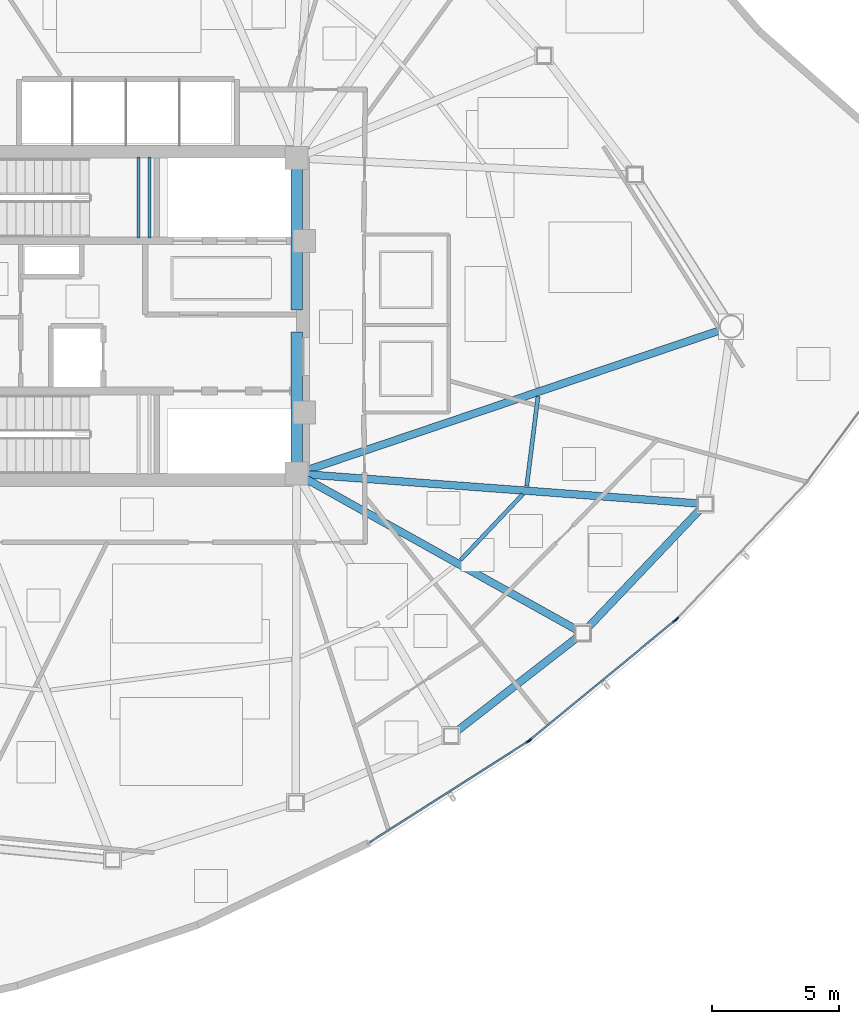
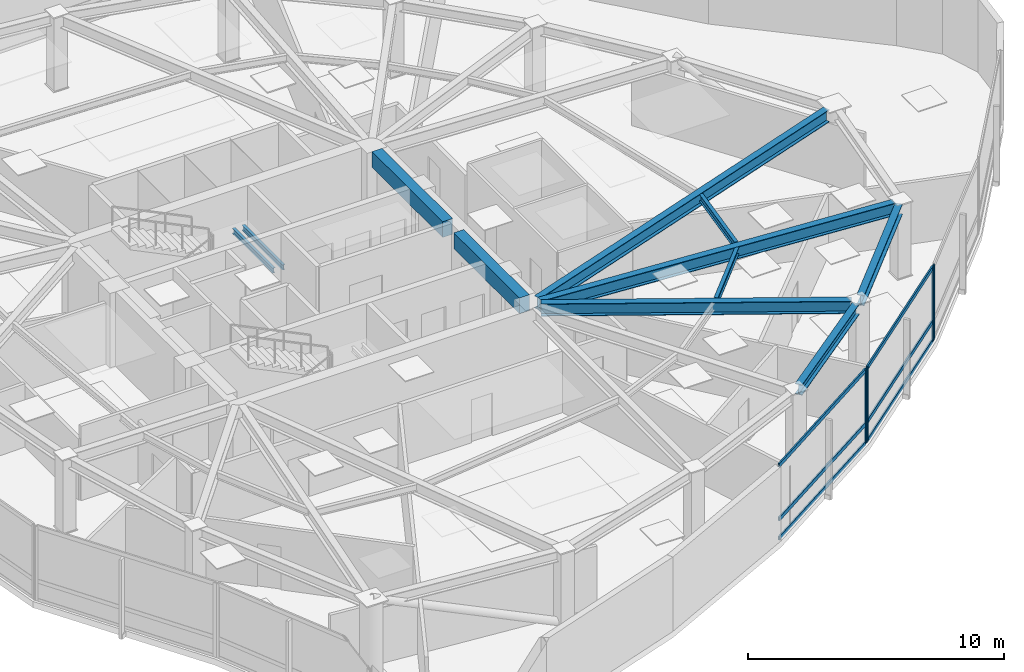
# One storey, part 5 of 17: 11 beams, 10 members, 3 elements without a shape of their own.
"""IFC4 building model written with IfcOpenShell, lengths in metres."""

from ifc_helpers import new_model, si_unit, direction, frame, origin, origin_2d, place, context, subcontext, project, spatial, rectangle, hollow_rectangle, i_section, extrude, source, transform, mapped, material, layer, layer_set, material_profile, profile_set, type_object, type_shapes, element, aggregate, save


model = new_model("IFC4")

# Units and contexts
model_context = context("Model", 3, precision=1e-05, world=origin(), true_north=direction((0.0, 1.0)))
body_context = subcontext(model_context, "Body", "Model", "MODEL_VIEW")
ifc_project = project(units=[si_unit("LENGTHUNIT", "METRE"), si_unit("AREAUNIT", "SQUARE_METRE"), si_unit("VOLUMEUNIT", "CUBIC_METRE"), si_unit("PLANEANGLEUNIT", "RADIAN"), si_unit("MASSUNIT", "GRAM", prefix="KILO")], contexts=[model_context])

# Site, building, storey
site_placement = place(None, origin())
site = spatial("IfcSite", under=ifc_project, at=site_placement, CompositionType="ELEMENT")
building_placement = place(site_placement, origin())
building = spatial("IfcBuilding", under=site, at=building_placement, Name="Tavelor Broadcast Tower", CompositionType="ELEMENT")
storey_placement = place(building_placement, frame((0.0, 0.0, 184.89990234375)))
storey = spatial("IfcBuildingStorey", under=building, at=storey_placement, Name="L44", CompositionType="ELEMENT", Elevation=184.89990234375)

# Beams
ifc_material_1 = material(Name="Concrete C40/50", Category="concrete")
ifc_material_profile_1 = material_profile(ifc_material_1, rectangle(XDim=0.449951171875, YDim=0.75, at=origin_2d()), Name="RC 450x750")
ifc_profile_set_1 = profile_set([ifc_material_profile_1], Name="Concrete C40/50")
beam_type_1 = type_object("IfcBeamType", Name="Basement Core Trim Beam 450x750", PredefinedType="BEAM", material=ifc_profile_set_1)
beam_1_placement = place(storey_placement, frame((56.60009765625, 45.23193359375, 3.175048828125), z_axis=(0.0, 1.0, 0.0), x_axis=(-1.0, 0.0, 0.0)))
element("IfcBeam", 1, at=beam_1_placement, inside=storey, type_object=beam_type_1, Name="L44 Core East-N Tie Girder", PredefinedType="BEAM", context=body_context, shape_type="SweptSolid", body=[
    extrude(rectangle(XDim=0.449951171875, YDim=0.75, at=origin_2d()), origin(), (0.0, 0.0, 1.0), 5.5361328125),
])
beam_2_placement = place(storey_placement, frame((56.60009765625, 39.23193359375, 3.175048828125), z_axis=(0.0, 1.0, 0.0), x_axis=(-1.0, 0.0, 0.0)))
element("IfcBeam", 2, at=beam_2_placement, inside=storey, type_object=beam_type_1, Name="L44 Core East-S Tie Girder", PredefinedType="BEAM", context=body_context, shape_type="SweptSolid", body=[
    extrude(rectangle(XDim=0.449951171875, YDim=0.75, at=origin_2d()), origin(), (0.0, 0.0, 1.0), 5.135986328125),
])
ifc_material_2 = material(Name="Steel S355", Category="steel")
ifc_material_profile_2 = material_profile(ifc_material_2, i_section(OverallWidth=0.159912109375, OverallDepth=0.330078125, WebThickness=0.007568359375, FlangeThickness=0.011474609375, at=origin_2d()), Name="IPE 330")
ifc_profile_set_2 = profile_set([ifc_material_profile_2], Name="Steel S355")
beam_type_2 = type_object("IfcBeamType", Name="Composite Floor Joist T4 IPE 330", PredefinedType="JOIST", material=ifc_profile_set_2)
beam_3_placement = place(storey_placement, frame((63.04541015625, 35.4072265625, 3.385009765625), z_axis=(0.687334543524, 0.726340984166, 0.0), x_axis=(-0.726340984166, 0.687334543524, 0.0)))
element("IfcBeam", 3, at=beam_3_placement, inside=storey, type_object=beam_type_2, Name="L44 Secondary Composite Floor Joist 11", PredefinedType="JOIST", context=body_context, shape_type="SweptSolid", body=[
    extrude(i_section(OverallWidth=0.159912109375, OverallDepth=0.330078125, WebThickness=0.007568359375, FlangeThickness=0.011474609375, at=origin_2d()), origin(), (0.0, 0.0, 1.0), 3.567626953125),
])
beam_4_placement = place(storey_placement, frame((65.64453125, 38.3095703125, 3.385009765625), z_axis=(0.124499310057, 0.992219694319, 0.0), x_axis=(-0.992219694319, 0.124499310057, 0.0)))
element("IfcBeam", 4, at=beam_4_placement, inside=storey, type_object=beam_type_2, Name="L44 Secondary Composite Floor Joist 12", PredefinedType="JOIST", context=body_context, shape_type="SweptSolid", body=[
    extrude(i_section(OverallWidth=0.159912109375, OverallDepth=0.330078125, WebThickness=0.007568359375, FlangeThickness=0.011474609375, at=origin_2d()), origin(), (0.0, 0.0, 1.0), 3.55712890625),
])
ifc_material_profile_3 = material_profile(ifc_material_2, i_section(OverallWidth=0.300048828125, OverallDepth=0.5, WebThickness=0.014404296875, FlangeThickness=0.028076171875, at=origin_2d()), Name="HEB 500")
ifc_profile_set_3 = profile_set([ifc_material_profile_3], Name="Steel S355")
beam_type_3 = type_object("IfcBeamType", Name="Perimeter Spandrel Beam T4 HEB 500", PredefinedType="SPANDREL", material=ifc_profile_set_3)
beam_5_placement = place(storey_placement, frame((62.896484375, 28.68017578125, 3.300048828125), z_axis=(0.788978387361, 0.614420950389, 0.0), x_axis=(-0.614420950389, 0.788978387361, 0.0)))
element("IfcBeam", 5, at=beam_5_placement, inside=storey, type_object=beam_type_3, Name="L44 Framed-Tube Ring Spandrel 10", PredefinedType="SPANDREL", context=body_context, shape_type="SweptSolid", body=[
    extrude(i_section(OverallWidth=0.300048828125, OverallDepth=0.5, WebThickness=0.014404296875, FlangeThickness=0.028076171875, at=origin_2d()), origin(), (0.0, 0.0, 1.0), 5.98046875),
])
beam_6_placement = place(storey_placement, frame((68.04052734375, 32.74072265625, 3.300048828125), z_axis=(0.688387662899, 0.725342970993, 0.0), x_axis=(-0.725342970993, 0.688387662899, 0.0)))
element("IfcBeam", 6, at=beam_6_placement, inside=storey, type_object=beam_type_3, Name="L44 Framed-Tube Ring Spandrel 11", PredefinedType="SPANDREL", context=body_context, shape_type="SweptSolid", body=[
    extrude(i_section(OverallWidth=0.300048828125, OverallDepth=0.5, WebThickness=0.014404296875, FlangeThickness=0.028076171875, at=origin_2d()), origin(), (0.0, 0.0, 1.0), 6.42138671875),
])
ifc_material_profile_4 = material_profile(ifc_material_2, i_section(OverallWidth=0.300048828125, OverallDepth=0.590087890625, WebThickness=0.012939453125, FlangeThickness=0.02490234375, at=origin_2d()), Name="HEA 600")
ifc_profile_set_4 = profile_set([ifc_material_profile_4], Name="Steel S355")
beam_type_4 = type_object("IfcBeamType", Name="Radial Floor Girder T4 HEA 600", PredefinedType="BEAM", material=ifc_profile_set_4)
beam_7_placement = place(storey_placement, frame((56.977294921875, 38.589599609375, 3.255126953125), z_axis=(0.8734199139, -0.486967816187, 0.0), x_axis=(0.486967816187, 0.8734199139, 0.0)))
element("IfcBeam", 7, at=beam_7_placement, inside=storey, type_object=beam_type_4, Name="L44 Radial Primary Floor Girder 11", PredefinedType="BEAM", context=body_context, shape_type="SweptSolid", body=[
    extrude(i_section(OverallWidth=0.300048828125, OverallDepth=0.590087890625, WebThickness=0.012939453125, FlangeThickness=0.02490234375, at=origin_2d()), origin(), (0.0, 0.0, 1.0), 12.151611328125),
])
beam_8_placement = place(storey_placement, frame((57.03076171875, 38.76806640625, 3.255126953125), z_axis=(0.997253315852, -0.074066348787, 0.0), x_axis=(0.074066348787, 0.997253315852, 0.0)))
element("IfcBeam", 8, at=beam_8_placement, inside=storey, type_object=beam_type_4, Name="L44 Radial Primary Floor Girder 12", PredefinedType="BEAM", context=body_context, shape_type="SweptSolid", body=[
    extrude(i_section(OverallWidth=0.300048828125, OverallDepth=0.590087890625, WebThickness=0.012939453125, FlangeThickness=0.02490234375, at=origin_2d()), origin(), (0.0, 0.0, 1.0), 15.383544921875),
])
beam_9_placement = place(storey_placement, frame((57.00927734375, 38.9384765625, 3.255126953125), z_axis=(0.947214639948, 0.320600102727, 0.0), x_axis=(-0.320600102727, 0.947214639948, 0.0)))
element("IfcBeam", 9, at=beam_9_placement, inside=storey, type_object=beam_type_4, Name="L44 Radial Primary Floor Girder 13", PredefinedType="BEAM", context=body_context, shape_type="SweptSolid", body=[
    extrude(i_section(OverallWidth=0.300048828125, OverallDepth=0.590087890625, WebThickness=0.012939453125, FlangeThickness=0.02490234375, at=origin_2d()), origin(), (0.0, 0.0, 1.0), 17.15673828125),
])
ifc_material_profile_5 = material_profile(ifc_material_2, i_section(OverallWidth=0.1201171875, OverallDepth=0.239990234375, WebThickness=0.006103515625, FlangeThickness=0.009765625, at=origin_2d()), Name="IPE 240")
ifc_profile_set_5 = profile_set([ifc_material_profile_5], Name="Steel S355")
beam_type_5 = type_object("IfcBeamType", Name="Stairwell Landing Support Trimmer Beam IPE240", PredefinedType="BEAM", material=ifc_profile_set_5)
for number, where, z_axis, x_axis, name in (
    (10, (50.385009765625, 48.06005859375, 1.610107421875), (0.0, 1.0, 0.0), (-1.0, 0.0, 0.0), "L44 Stair Landing Support Beam 121"),
    (11, (50.824951171875, 48.06005859375, 1.610107421875), (0.0, 1.0, 0.0), (-1.0, 0.0, 0.0), "L44 Stair Landing Support Beam 122"),
):
    element("IfcBeam", number, at=place(storey_placement, frame(where, z_axis=z_axis, x_axis=x_axis)), inside=storey, type_object=beam_type_5, Name=name, PredefinedType="BEAM", context=body_context, shape_type="SweptSolid", body=[
        extrude(i_section(OverallWidth=0.1201171875, OverallDepth=0.239990234375, WebThickness=0.006103515625, FlangeThickness=0.009765625, at=origin_2d()), origin(), (0.0, 0.0, 1.0), 3.179931640625),
    ])

# Curtain wall, member
ifc_material_3 = material(Name="Architectural Anodized Aluminium", Category="aluminium")
ifc_layer = layer(ifc_material_3, 0.18994140625)
ifc_layer_set = layer_set([ifc_layer], Name="Architectural Anodized Aluminium")
curtain_wall_type = type_object("IfcCurtainWallType", Name="Tower Mid-Zone Acoustic Curtain Wall CW03", PredefinedType="NOTDEFINED", material=ifc_layer_set)
curtain_wall_1_placement = place(storey_placement, origin())
curtain_wall_1 = element("IfcCurtainWall", 12, at=curtain_wall_1_placement, inside=storey, type_object=curtain_wall_type, Name="L44 Curtain Wall CW03 Run 473", PredefinedType="NOTDEFINED")
ifc_material_profile_6 = material_profile(ifc_material_3, hollow_rectangle(XDim=0.068115234375, YDim=0.18994140625, WallThickness=0.02197265625, at=origin_2d()), Name="RHS 68x190x22")
ifc_profile_set_6 = profile_set([ifc_material_profile_6], Name="Architectural Anodized Aluminium")
member_type_1 = type_object("IfcMemberType", Name="CW03 Extruded Aluminium Mullion 68x190", PredefinedType="MULLION", material=ifc_profile_set_6)
shared_shape_1 = source(origin(), body_context, "Body", "SweptSolid", [
    extrude(hollow_rectangle(XDim=0.068115234375, YDim=0.18994140625, WallThickness=0.02197265625, at=origin_2d()), origin(), (0.0, 0.0, 1.0), 3.550048828125),
])
type_shapes(member_type_1, [shared_shape_1])
member_1_placement = place(storey_placement, frame((65.693115234375, 28.271728515625, 0.0), z_axis=(0.0, 0.0, 1.0), x_axis=(-0.537657235308, 0.843163505686, 0.0)))
member_1 = element("IfcMember", 13, at=member_1_placement, type_object=member_type_1, Name="CW03 mullion 2", PredefinedType="MULLION", context=body_context, shape_type="MappedRepresentation", body=[
    mapped(shared_shape_1, transform((0.0, 0.0, 0.0), scale=1.0)),
])

# Curtain wall, members
curtain_wall_2_placement = place(storey_placement, origin())
curtain_wall_2 = element("IfcCurtainWall", 14, at=curtain_wall_2_placement, inside=storey, type_object=curtain_wall_type, Name="L44 Curtain Wall CW03 Run 474", PredefinedType="NOTDEFINED")
member_2_placement = place(storey_placement, frame((65.7724609375, 28.329345703125, 0.0), z_axis=(0.0, 0.0, 1.0), x_axis=(-0.635742583615, 0.771901138345, 0.0)))
member_2 = element("IfcMember", 15, at=member_2_placement, type_object=member_type_1, Name="CW03 mullion 1", PredefinedType="MULLION", context=body_context, shape_type="MappedRepresentation", body=[
    mapped(shared_shape_1, transform((0.0, 0.0, 0.0), scale=1.0)),
])
member_3_placement = place(storey_placement, frame((71.463134765625, 33.016357421875, 0.0), z_axis=(0.0, 0.0, 1.0), x_axis=(-0.635742583615, 0.771901138345, 0.0)))
member_3 = element("IfcMember", 16, at=member_3_placement, type_object=member_type_1, Name="CW03 mullion 2", PredefinedType="MULLION", context=body_context, shape_type="MappedRepresentation", body=[
    mapped(shared_shape_1, transform((0.0, 0.0, 0.0), scale=1.0)),
])

# Curtain wall, member
curtain_wall_3_placement = place(storey_placement, origin())
curtain_wall_3 = element("IfcCurtainWall", 17, at=curtain_wall_3_placement, inside=storey, type_object=curtain_wall_type, Name="L44 Curtain Wall CW03 Run 475", PredefinedType="NOTDEFINED")
member_4_placement = place(storey_placement, frame((71.534912109375, 33.0830078125, 0.0), z_axis=(0.0, 0.0, 1.0), x_axis=(-0.724487177681, 0.689288277411, 0.0)))
member_4 = element("IfcMember", 18, at=member_4_placement, type_object=member_type_1, Name="CW03 mullion 1", PredefinedType="MULLION", context=body_context, shape_type="MappedRepresentation", body=[
    mapped(shared_shape_1, transform((0.0, 0.0, 0.0), scale=1.0)),
])
aggregate(curtain_wall_3, [member_4])

# Member
ifc_material_profile_7 = material_profile(ifc_material_3, hollow_rectangle(XDim=0.068115234375, YDim=0.18994140625, WallThickness=0.02197265625, at=origin_2d()), Name="RHS 68x190x22")
ifc_profile_set_7 = profile_set([ifc_material_profile_7], Name="Architectural Anodized Aluminium")
member_type_2 = type_object("IfcMemberType", Name="CW03 Extruded Aluminium Transom 68x190", PredefinedType="USERDEFINED", material=ifc_profile_set_7)
shared_shape_2 = source(origin(), body_context, "Body", "SweptSolid", [
    extrude(hollow_rectangle(XDim=0.068115234375, YDim=0.18994140625, WallThickness=0.02197265625, at=origin_2d()), origin(), (0.0, 0.0, 1.0), 7.319580078125),
])
member_5_placement = place(storey_placement, frame((59.492919921875, 24.318115234375, 0.0341796875), z_axis=(0.843172197937, 0.537643603724, 0.0), x_axis=(-0.537643603724, 0.843172197937, 0.0)))
member_5 = element("IfcMember", 19, at=member_5_placement, type_object=member_type_2, Name="CW03 transom 1.1", ObjectType="TRANSOM", PredefinedType="USERDEFINED", context=body_context, shape_type="MappedRepresentation", body=[
    mapped(shared_shape_2, transform((0.0, 0.0, 0.0), scale=1.0)),
])

member_6_placement = place(storey_placement, frame((59.492919921875, 24.318115234375, 0.9501953125), z_axis=(0.843172197937, 0.537643603724, 0.0), x_axis=(-0.537643603724, 0.843172197937, 0.0)))
member_6 = element("IfcMember", 20, at=member_6_placement, type_object=member_type_2, Name="CW03 transom 1.2", ObjectType="TRANSOM", PredefinedType="USERDEFINED", context=body_context, shape_type="MappedRepresentation", body=[
    mapped(shared_shape_2, transform((0.0, 0.0, 0.0), scale=1.0)),
])

member_7_placement = place(storey_placement, frame((59.492919921875, 24.318115234375, 3.51611328125), z_axis=(0.843172197937, 0.537643603724, 0.0), x_axis=(-0.537643603724, 0.843172197937, 0.0)))
member_7 = element("IfcMember", 21, at=member_7_placement, type_object=member_type_2, Name="CW03 transom 1.3", ObjectType="TRANSOM", PredefinedType="USERDEFINED", context=body_context, shape_type="MappedRepresentation", body=[
    mapped(shared_shape_2, transform((0.0, 0.0, 0.0), scale=1.0)),
])

aggregate(curtain_wall_1, [member_1, member_5, member_6, member_7])

shared_shape_3 = source(origin(), body_context, "Body", "SweptSolid", [
    extrude(hollow_rectangle(XDim=0.068115234375, YDim=0.18994140625, WallThickness=0.02197265625, at=origin_2d()), origin(), (0.0, 0.0, 1.0), 7.3046875),
])
type_shapes(member_type_2, [shared_shape_2, shared_shape_3])
member_8_placement = place(storey_placement, frame((65.798583984375, 28.350830078125, 0.0341796875), z_axis=(0.771887784142, 0.635758797573, 0.0), x_axis=(-0.635758797573, 0.771887784142, 0.0)))
member_8 = element("IfcMember", 22, at=member_8_placement, type_object=member_type_2, Name="CW03 transom 1.1", ObjectType="TRANSOM", PredefinedType="USERDEFINED", context=body_context, shape_type="MappedRepresentation", body=[
    mapped(shared_shape_3, transform((0.0, 0.0, 0.0), scale=1.0)),
])

member_9_placement = place(storey_placement, frame((65.798583984375, 28.350830078125, 0.9501953125), z_axis=(0.771887784142, 0.635758797573, 0.0), x_axis=(-0.635758797573, 0.771887784142, 0.0)))
member_9 = element("IfcMember", 23, at=member_9_placement, type_object=member_type_2, Name="CW03 transom 1.2", ObjectType="TRANSOM", PredefinedType="USERDEFINED", context=body_context, shape_type="MappedRepresentation", body=[
    mapped(shared_shape_3, transform((0.0, 0.0, 0.0), scale=1.0)),
])

member_10_placement = place(storey_placement, frame((65.798583984375, 28.350830078125, 3.51611328125), z_axis=(0.771887784142, 0.635758797573, 0.0), x_axis=(-0.635758797573, 0.771887784142, 0.0)))
member_10 = element("IfcMember", 24, at=member_10_placement, type_object=member_type_2, Name="CW03 transom 1.3", ObjectType="TRANSOM", PredefinedType="USERDEFINED", context=body_context, shape_type="MappedRepresentation", body=[
    mapped(shared_shape_3, transform((0.0, 0.0, 0.0), scale=1.0)),
])

aggregate(curtain_wall_2, [member_2, member_3, member_8, member_9, member_10])

save(model, "model.ifc")
